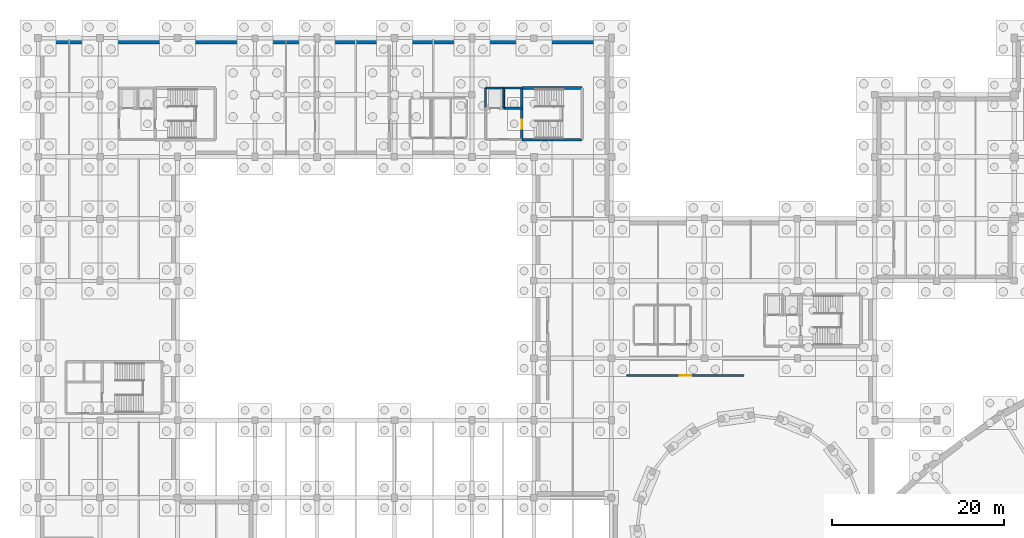
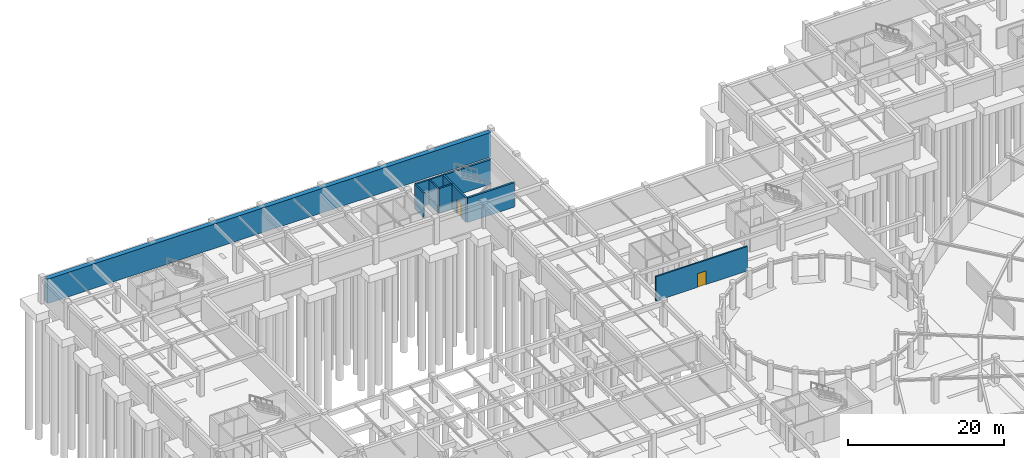
# One storey, part 35 of 42: 9 walls, 2 doors, 2 openings.
"""IFC4 building model written with IfcOpenShell, lengths in metres."""

import ifcopenshell
import ifcopenshell.guid

model = None  # the IFC model being written
_history = None  # IfcOwnerHistory: only IFC2X3 demands one
_inside = {}  # id of a spatial element -> (the spatial element, [elements in it])
_under = {}  # id of a project, library or spatial element -> (it, [spatial elements below it])
_declared = {}  # id of a project -> (the project, [libraries it declares])
_typed = {}  # id of a type object -> (the type object, [elements of that type])
_made_of = {}  # id of a material, layer set ... -> (it, [elements and type objects made of it])


def new_model(schema):
    """Start an empty IFC model of exactly this schema.

    Asked for "IFC4X3", IfcOpenShell would pick the latest addendum, in which some entities
    have other attributes; the version numbers below select the first issue.
    IFC2X3 requires an IfcOwnerHistory on every rooted entity: one is made here for all.
    """
    global model, _history
    if schema == "IFC4X3":
        model = ifcopenshell.file(schema_version=(4, 3, 0, 0))
    else:
        model = ifcopenshell.file(schema=schema)
    _inside.clear()
    _under.clear()
    _declared.clear()
    _typed.clear()
    _made_of.clear()
    _history = None
    if model.schema == "IFC2X3":
        org = make("IfcOrganization", Name="unknown")
        user = make(
            "IfcPersonAndOrganization",
            ThePerson=make("IfcPerson", FamilyName="unknown"),
            TheOrganization=org,
        )
        app = make(
            "IfcApplication",
            ApplicationDeveloper=org,
            Version="unknown",
            ApplicationFullName="unknown",
            ApplicationIdentifier="unknown",
        )
        _history = make(
            "IfcOwnerHistory",
            OwningUser=user,
            OwningApplication=app,
            ChangeAction="ADDED",
            CreationDate=0,
        )
    return model


def make(cls, **values):
    """One entity of the class cls with the attributes given. An attribute that is None is left unset."""
    return model.create_entity(
        cls, **{name: value for name, value in values.items() if value is not None}
    )


def rooted(cls, **values):
    """An entity with a GlobalId (a new one), such as an element, a storey or a relation."""
    return make(cls, GlobalId=ifcopenshell.guid.new(), OwnerHistory=_history, **values)


def si_unit(unit_type, name, prefix=None):
    """IfcSIUnit, for example si_unit("LENGTHUNIT", "METRE", prefix="MILLI")."""
    return make("IfcSIUnit", UnitType=unit_type, Prefix=prefix, Name=name)


def assignment(units):
    """IfcUnitAssignment: the units of a project."""
    return None if units is None else make("IfcUnitAssignment", Units=units)


def point(xyz):
    """IfcCartesianPoint."""
    return None if xyz is None else make("IfcCartesianPoint", Coordinates=xyz)


def direction(xyz):
    """IfcDirection."""
    return None if xyz is None else make("IfcDirection", DirectionRatios=xyz)


def frame(location, z_axis=None, x_axis=None):
    """IfcAxis2Placement3D, a coordinate frame: its origin and axes. An axis left out is left unset."""
    return make(
        "IfcAxis2Placement3D",
        Location=point(location),
        Axis=direction(z_axis),
        RefDirection=direction(x_axis),
    )


def frame_2d(location, x_axis=None):
    """IfcAxis2Placement2D, a coordinate frame in the plane: its origin and x axis."""
    return make(
        "IfcAxis2Placement2D", Location=point(location), RefDirection=direction(x_axis)
    )


def origin():
    """The frame at (0, 0, 0) with its axes left unset."""
    return frame((0.0, 0.0, 0.0))


def place(relative_to, where):
    """IfcLocalPlacement: puts the frame where relative to a parent placement (None: the world)."""
    return make(
        "IfcLocalPlacement", PlacementRelTo=relative_to, RelativePlacement=where
    )


def context(
    kind, dimensions, precision=None, world=None, true_north=None, identifier=None
):
    """IfcGeometricRepresentationContext, for example the 3D "Model" context."""
    return make(
        "IfcGeometricRepresentationContext",
        ContextIdentifier=identifier,
        ContextType=kind,
        CoordinateSpaceDimension=dimensions,
        Precision=precision,
        WorldCoordinateSystem=world,
        TrueNorth=true_north,
    )


def subcontext(parent, identifier, kind, view, scale=None):
    """IfcGeometricRepresentationSubContext, for example "Body" below "Model"."""
    return make(
        "IfcGeometricRepresentationSubContext",
        ContextIdentifier=identifier,
        ContextType=kind,
        ParentContext=parent,
        TargetScale=scale,
        TargetView=view,
    )


def project(units=None, contexts=None):
    """IfcProject with its units and contexts."""
    return rooted(
        "IfcProject",
        Name="project",
        RepresentationContexts=contexts,
        UnitsInContext=assignment(units),
    )


def spatial(cls, under=None, at=None, **own):
    """A site, building, storey or space (cls), placed at a placement, below another one or the project."""
    s = rooted(cls, ObjectPlacement=at, **own)
    if under is not None:
        _under.setdefault(under.id(), (under, []))[1].append(s)
    return s


def profile(cls, at=None, kind="AREA", **sizes):
    """A parametric profile (cls). Its sizes go by their IFC names, for example OverallWidth=200.0."""
    return make(cls, ProfileType=kind, Position=at, **sizes)


def rectangle(**sizes):
    """IfcRectangleProfileDef."""
    return profile("IfcRectangleProfileDef", **sizes)


def extrude(swept, where, along, depth):
    """IfcExtrudedAreaSolid: the profile swept, set in the frame where, extruded along a direction by depth."""
    return make(
        "IfcExtrudedAreaSolid",
        SweptArea=swept,
        Position=where,
        ExtrudedDirection=direction(along),
        Depth=depth,
    )


def shape(context_of_items, identifier, shape_type, items):
    """IfcShapeRepresentation: the items that make up one representation, for example the "Body"."""
    return make(
        "IfcShapeRepresentation",
        ContextOfItems=context_of_items,
        RepresentationIdentifier=identifier,
        RepresentationType=shape_type,
        Items=items,
    )


def material(Name=None, Category=None):
    """IfcMaterial."""
    return make("IfcMaterial", Name=Name, Category=Category)


def layer(
    of_material, thickness, ventilated=None, Name=None, Category=None, Priority=None
):
    """IfcMaterialLayer: one layer of a wall or slab, of a material (None: an air gap)."""
    return make(
        "IfcMaterialLayer",
        Material=of_material,
        LayerThickness=thickness,
        IsVentilated=ventilated,
        Name=Name,
        Category=Category,
        Priority=Priority,
    )


def layer_set(layers, Name=None):
    """IfcMaterialLayerSet."""
    return make("IfcMaterialLayerSet", MaterialLayers=layers, LayerSetName=Name)


def made_of(thing, what):
    """Note that an element or type object is made of a material, layer set ...; save() writes the relation."""
    if what is not None:
        _made_of.setdefault(what.id(), (what, []))[1].append(thing)
    return thing


def type_object(cls, material=None, **own):
    """A type object (cls), such as IfcWallType, which elements share."""
    return made_of(rooted(cls, **own), material)


def element(
    cls,
    number,
    at=None,
    inside=None,
    cuts=None,
    type_object=None,
    material=None,
    context=None,
    identifier="Body",
    shape_type=None,
    held_by="IfcProductDefinitionShape",
    body=None,
    shapes=None,
    **own,
):
    """One element of the class cls, such as IfcWall. Its Tag is "e" and its number.

    at: its placement. inside: the storey or other place that contains it. cuts: it is an
    opening in that element (IfcRelVoidsElement). A single representation is given by context,
    identifier, shape_type and body (its items); several are given by shapes. held_by: the class
    of the entity that holds the representations. save() writes the other relations.
    """
    e = rooted(cls, Tag="e%d" % number, ObjectPlacement=at, **own)
    if body is not None:
        shapes = [shape(context, identifier, shape_type, body)]
    if shapes is not None:
        e.Representation = make(held_by, Representations=shapes)
    if inside is not None:
        _inside.setdefault(inside.id(), (inside, []))[1].append(e)
    if cuts is not None:
        rooted(
            "IfcRelVoidsElement", RelatingBuildingElement=cuts, RelatedOpeningElement=e
        )
    if type_object is not None:
        _typed.setdefault(type_object.id(), (type_object, []))[1].append(e)
    return made_of(e, material)


def fill(opening, filler):
    """IfcRelFillsElement: the door or window that sits in an opening."""
    return rooted(
        "IfcRelFillsElement",
        RelatingOpeningElement=opening,
        RelatedBuildingElement=filler,
    )


def aggregate(whole, parts):
    """IfcRelAggregates: a whole, such as a stair, and the parts it consists of."""
    return rooted("IfcRelAggregates", RelatingObject=whole, RelatedObjects=parts)


def save(model, path):
    """Write the relations noted so far, then the file.

    IfcRelAggregates (storeys below a building ...), IfcRelContainedInSpatialStructure (elements
    in a storey), IfcRelDefinesByType, IfcRelAssociatesMaterial and IfcRelDeclares: one each for
    every whole, place, type object, material and project.
    """
    for whole, parts in _under.values():
        aggregate(whole, parts)
    for where, things in _inside.values():
        rooted(
            "IfcRelContainedInSpatialStructure",
            RelatedElements=things,
            RelatingStructure=where,
        )
    for kind, things in _typed.values():
        rooted("IfcRelDefinesByType", RelatedObjects=things, RelatingType=kind)
    for what, things in _made_of.values():
        rooted("IfcRelAssociatesMaterial", RelatedObjects=things, RelatingMaterial=what)
    for by, libraries in _declared.values():
        rooted("IfcRelDeclares", RelatingContext=by, RelatedDefinitions=libraries)
    model.write(path)


model = new_model("IFC4")

# Units and contexts
model_context = context("Model", 3, precision=1e-05, world=origin(), true_north=direction((0.0, 1.0)))
body_context = subcontext(model_context, "Body", "Model", "MODEL_VIEW")
ifc_project = project(units=[si_unit("LENGTHUNIT", "METRE"), si_unit("AREAUNIT", "SQUARE_METRE"), si_unit("VOLUMEUNIT", "CUBIC_METRE"), si_unit("PLANEANGLEUNIT", "RADIAN"), si_unit("MASSUNIT", "GRAM", prefix="KILO")], contexts=[model_context])

# Site, building, storey
site_placement = place(None, origin())
site = spatial("IfcSite", under=ifc_project, at=site_placement, CompositionType="ELEMENT")
building_placement = place(site_placement, origin())
building = spatial("IfcBuilding", under=site, at=building_placement, Name="Clarverna Civic Hall", CompositionType="ELEMENT")
storey_placement = place(building_placement, frame((0.0, 0.0, -4.199951171875)))
storey = spatial("IfcBuildingStorey", under=building, at=storey_placement, Name="B01", CompositionType="ELEMENT", Elevation=-4.199951171875)

# Wall
ifc_material_1 = material(Name="Concrete C30/37", Category="concrete")
ifc_layer_1 = layer(ifc_material_1, 0.699951171875)
ifc_layer_set_1 = layer_set([ifc_layer_1], Name="Concrete C30/37")
wall_type_1 = type_object("IfcWallType", Name="DW-01", PredefinedType="SOLIDWALL", material=ifc_layer_set_1)
wall_1_placement = place(storey_placement, frame((0.35009765625, 115.64990234375, 0.0), z_axis=(0.0, 0.0, 1.0), x_axis=(1.0, 0.0, 0.0)))
element("IfcWall", 1, at=wall_1_placement, inside=storey, type_object=wall_type_1, Name="DW-01-002", PredefinedType="SOLIDWALL", context=body_context, shape_type="SweptSolid", body=[
    extrude(rectangle(XDim=65.875, YDim=0.699951171875, at=frame_2d((32.9375, 0.0))), origin(), (0.0, 0.0, 1.0), 3.83984375),
])

# Wall, opening, door
ifc_material_2 = material(Name="Aerated Concrete Masonry Blockwork", Category="masonry")
ifc_layer_2 = layer(ifc_material_2, 0.219970703125)
ifc_layer_set_2 = layer_set([ifc_layer_2], Name="Aerated Concrete Masonry Blockwork")
wall_type_2 = type_object("IfcWallType", Name="PW-05", PredefinedType="PARTITIONING", material=ifc_layer_set_2)
wall_2_placement = place(storey_placement, frame((68.39990234375, 76.800048828125, 0.0), z_axis=(0.0, 0.0, 1.0), x_axis=(1.0, 0.0, 0.0)))
wall_2 = element("IfcWall", 2, at=wall_2_placement, inside=storey, type_object=wall_type_2, Name="PW-05-005", PredefinedType="PARTITIONING", context=body_context, shape_type="SweptSolid", body=[
    extrude(rectangle(XDim=13.60009765625, YDim=0.219970703125, at=frame_2d((6.800048828125, 0.0))), origin(), (0.0, 0.0, 1.0), 3.83984375),
])
opening_1_placement = place(wall_2_placement, frame((6.14990234375, 0.0, 0.0)))
opening_1 = element("IfcOpeningElement", 3, at=opening_1_placement, cuts=wall_2, Name="Opening FD-05", PredefinedType="OPENING", context=body_context, shape_type="SweptSolid", body=[
    extrude(rectangle(XDim=1.300048828125, YDim=2.14990234375, at=frame_2d((0.64990234375, 1.074951171875))), frame((0.0, 0.119873046875, 0.0), z_axis=(0.0, -1.0, 0.0), x_axis=(1.0, 0.0, 0.0)), (0.0, 0.0, 1.0), 0.239990234375),
])
ifc_material_3 = material(Name="Acoustic Steel Plant Fire Door", Category="steel")
door_type_1 = type_object("IfcDoorType", Name="FD-05", OperationType="NOTDEFINED", PredefinedType="DOOR", material=ifc_material_3)
door_1_placement = place(opening_1_placement, origin())
door_1 = element("IfcDoor", 4, at=door_1_placement, inside=storey, type_object=door_type_1, Name="FD-05-005", OperationType="SINGLE_SWING_RIGHT", OverallHeight=2.14990234375, OverallWidth=1.300048828125, PredefinedType="DOOR", context=body_context, shape_type="SweptSolid", body=[
    extrude(rectangle(XDim=1.300048828125, YDim=2.14990234375, at=frame_2d((0.64990234375, 1.074951171875))), frame((0.0, 0.02490234375, 0.0), z_axis=(0.0, -1.0, 0.0), x_axis=(1.0, 0.0, 0.0)), (0.0, 0.0, 1.0), 0.050048828125),
])
fill(opening_1, door_1)

ifc_material_4 = material(Name="Concrete C35/45", Category="concrete")
ifc_layer_3 = layer(ifc_material_4, 0.300048828125)
ifc_layer_set_3 = layer_set([ifc_layer_3], Name="Concrete C35/45")
wall_type_3 = type_object("IfcWallType", Name="SW-03", PredefinedType="SHEAR", material=ifc_layer_set_3)
wall_3_placement = place(storey_placement, frame((56.199951171875, 104.199951171875, 0.0), z_axis=(0.0, 0.0, 1.0), x_axis=(0.0, 1.0, 0.0)))
wall_3 = element("IfcWall", 5, at=wall_3_placement, inside=storey, type_object=wall_type_3, Name="SW-03-208", PredefinedType="SHEAR", context=body_context, shape_type="SweptSolid", body=[
    extrude(rectangle(XDim=6.0, YDim=0.300048828125, at=frame_2d((3.0, 0.0))), origin(), (0.0, 0.0, 1.0), 3.83984375),
])
opening_2_placement = place(wall_3_placement, frame((1.27490234375, 0.0, 0.0)))
opening_2 = element("IfcOpeningElement", 6, at=opening_2_placement, cuts=wall_3, Name="Opening FD-02", PredefinedType="OPENING", context=body_context, shape_type="SweptSolid", body=[
    extrude(rectangle(XDim=1.050048828125, YDim=2.14990234375, at=frame_2d((0.52490234375, 1.074951171875))), frame((0.0, 0.159912109375, 0.0), z_axis=(0.0, -1.0, 0.0), x_axis=(1.0, 0.0, 0.0)), (0.0, 0.0, 1.0), 0.320068359375),
])
ifc_material_5 = material(Name="Acoustic Timber-Faced Fire Door", Category="wood")
door_type_2 = type_object("IfcDoorType", Name="FD-02", OperationType="NOTDEFINED", PredefinedType="DOOR", material=ifc_material_5)
door_2_placement = place(opening_2_placement, origin())
door_2 = element("IfcDoor", 7, at=door_2_placement, inside=storey, type_object=door_type_2, Name="FD-02-095", OperationType="SINGLE_SWING_LEFT", OverallHeight=2.14990234375, OverallWidth=1.050048828125, PredefinedType="DOOR", context=body_context, shape_type="SweptSolid", body=[
    extrude(rectangle(XDim=1.050048828125, YDim=2.14990234375, at=frame_2d((0.52490234375, 1.074951171875))), frame((0.0, 0.02490234375, 0.0), z_axis=(0.0, -1.0, 0.0), x_axis=(1.0, 0.0, 0.0)), (0.0, 0.0, 1.0), 0.050048828125),
])
fill(opening_2, door_2)

# Walls
for number, where, z_axis, x_axis, name in (
    (8, (56.199951171875, 104.199951171875, 0.0), (0.0, 0.0, 1.0), (1.0, 0.0, 0.0), "SW-03-210"),
    (9, (56.199951171875, 110.199951171875, 0.0), (0.0, 0.0, 1.0), (1.0, 0.0, 0.0), "SW-03-211"),
):
    element("IfcWall", number, at=place(storey_placement, frame(where, z_axis=z_axis, x_axis=x_axis)), inside=storey, type_object=wall_type_3, Name=name, PredefinedType="SHEAR", context=body_context, shape_type="SweptSolid", body=[
        extrude(rectangle(XDim=7.0, YDim=0.300048828125, at=frame_2d((3.5, 0.0))), origin(), (0.0, 0.0, 1.0), 3.83984375),
    ])
wall_4_placement = place(storey_placement, frame((52.0, 110.199951171875, 0.0), z_axis=(0.0, 0.0, 1.0), x_axis=(1.0, 0.0, 0.0)))
element("IfcWall", 10, at=wall_4_placement, inside=storey, type_object=wall_type_3, Name="SW-03-212", PredefinedType="SHEAR", context=body_context, shape_type="SweptSolid", body=[
    extrude(rectangle(XDim=4.199951171875, YDim=0.239990234375, at=frame_2d((2.10009765625, 0.0))), origin(), (0.0, 0.0, 1.0), 3.83984375),
])
wall_5_placement = place(storey_placement, frame((52.0, 107.85009765625, 0.0), z_axis=(0.0, 0.0, 1.0), x_axis=(0.0, 1.0, 0.0)))
element("IfcWall", 11, at=wall_5_placement, inside=storey, type_object=wall_type_3, Name="SW-03-213", PredefinedType="SHEAR", context=body_context, shape_type="SweptSolid", body=[
    extrude(rectangle(XDim=2.349853515625, YDim=0.239990234375, at=frame_2d((1.1748046875, 0.0))), origin(), (0.0, 0.0, 1.0), 3.83984375),
])
wall_6_placement = place(storey_placement, frame((54.10009765625, 107.85009765625, 0.0), z_axis=(0.0, 0.0, 1.0), x_axis=(0.0, 1.0, 0.0)))
element("IfcWall", 12, at=wall_6_placement, inside=storey, type_object=wall_type_3, Name="SW-03-214", PredefinedType="SHEAR", context=body_context, shape_type="SweptSolid", body=[
    extrude(rectangle(XDim=2.349853515625, YDim=0.199951171875, at=frame_2d((1.1748046875, 0.0))), origin(), (0.0, 0.0, 1.0), 3.83984375),
])
wall_7_placement = place(storey_placement, frame((54.10009765625, 107.85009765625, 0.0), z_axis=(0.0, 0.0, 1.0), x_axis=(1.0, 0.0, 0.0)))
element("IfcWall", 13, at=wall_7_placement, inside=storey, type_object=wall_type_3, Name="SW-03-216", PredefinedType="SHEAR", context=body_context, shape_type="SweptSolid", body=[
    extrude(rectangle(XDim=2.099853515625, YDim=0.239990234375, at=frame_2d((1.0498046875, 0.0))), origin(), (0.0, 0.0, 1.0), 3.83984375),
])

save(model, "model.ifc")
